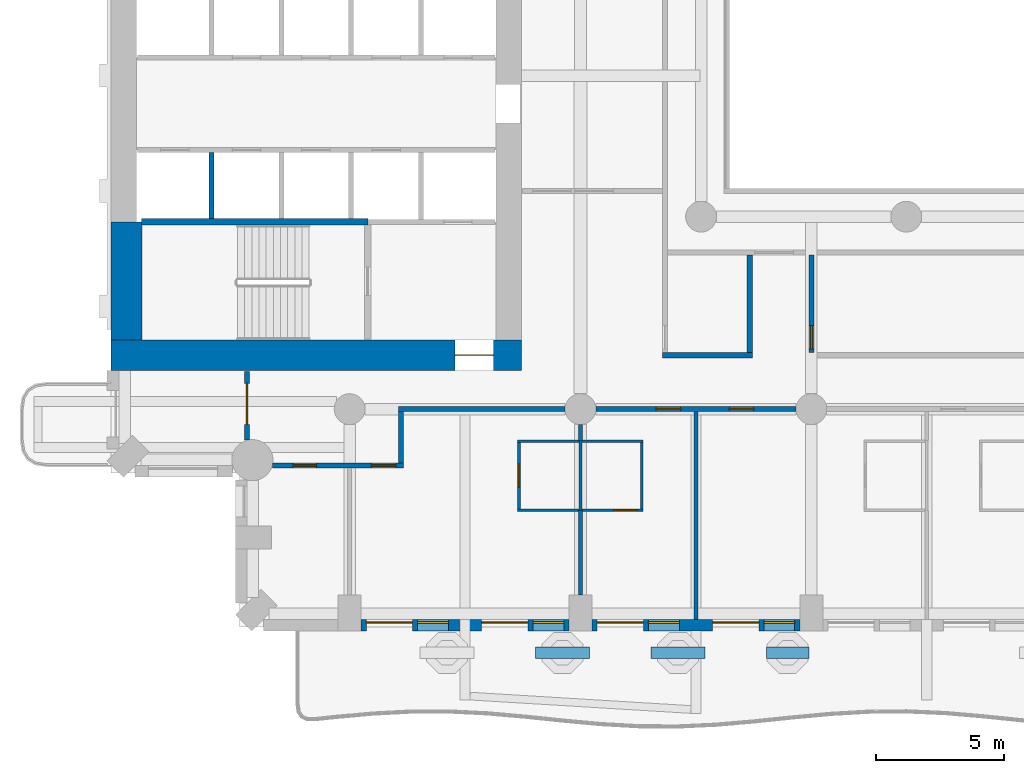
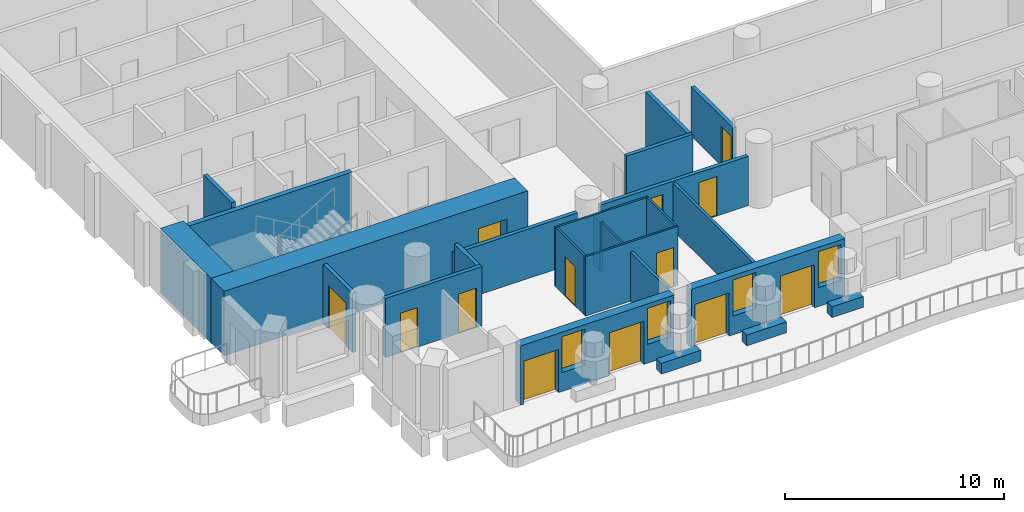
# One storey, part 3 of 20: 25 walls, 13 doors, 4 windows, 17 openings.
"""IFC4 building model written with IfcOpenShell, lengths in metres."""

import ifcopenshell
import ifcopenshell.guid

model = None  # the IFC model being written
_history = None  # IfcOwnerHistory: only IFC2X3 demands one
_inside = {}  # id of a spatial element -> (the spatial element, [elements in it])
_under = {}  # id of a project, library or spatial element -> (it, [spatial elements below it])
_declared = {}  # id of a project -> (the project, [libraries it declares])
_typed = {}  # id of a type object -> (the type object, [elements of that type])
_made_of = {}  # id of a material, layer set ... -> (it, [elements and type objects made of it])


def new_model(schema):
    """Start an empty IFC model of exactly this schema.

    Asked for "IFC4X3", IfcOpenShell would pick the latest addendum, in which some entities
    have other attributes; the version numbers below select the first issue.
    IFC2X3 requires an IfcOwnerHistory on every rooted entity: one is made here for all.
    """
    global model, _history
    if schema == "IFC4X3":
        model = ifcopenshell.file(schema_version=(4, 3, 0, 0))
    else:
        model = ifcopenshell.file(schema=schema)
    _inside.clear()
    _under.clear()
    _declared.clear()
    _typed.clear()
    _made_of.clear()
    _history = None
    if model.schema == "IFC2X3":
        org = make("IfcOrganization", Name="unknown")
        user = make(
            "IfcPersonAndOrganization",
            ThePerson=make("IfcPerson", FamilyName="unknown"),
            TheOrganization=org,
        )
        app = make(
            "IfcApplication",
            ApplicationDeveloper=org,
            Version="unknown",
            ApplicationFullName="unknown",
            ApplicationIdentifier="unknown",
        )
        _history = make(
            "IfcOwnerHistory",
            OwningUser=user,
            OwningApplication=app,
            ChangeAction="ADDED",
            CreationDate=0,
        )
    return model


def make(cls, **values):
    """One entity of the class cls with the attributes given. An attribute that is None is left unset."""
    return model.create_entity(
        cls, **{name: value for name, value in values.items() if value is not None}
    )


def rooted(cls, **values):
    """An entity with a GlobalId (a new one), such as an element, a storey or a relation."""
    return make(cls, GlobalId=ifcopenshell.guid.new(), OwnerHistory=_history, **values)


def si_unit(unit_type, name, prefix=None):
    """IfcSIUnit, for example si_unit("LENGTHUNIT", "METRE", prefix="MILLI")."""
    return make("IfcSIUnit", UnitType=unit_type, Prefix=prefix, Name=name)


def assignment(units):
    """IfcUnitAssignment: the units of a project."""
    return None if units is None else make("IfcUnitAssignment", Units=units)


def point(xyz):
    """IfcCartesianPoint."""
    return None if xyz is None else make("IfcCartesianPoint", Coordinates=xyz)


def direction(xyz):
    """IfcDirection."""
    return None if xyz is None else make("IfcDirection", DirectionRatios=xyz)


def frame(location, z_axis=None, x_axis=None):
    """IfcAxis2Placement3D, a coordinate frame: its origin and axes. An axis left out is left unset."""
    return make(
        "IfcAxis2Placement3D",
        Location=point(location),
        Axis=direction(z_axis),
        RefDirection=direction(x_axis),
    )


def frame_2d(location, x_axis=None):
    """IfcAxis2Placement2D, a coordinate frame in the plane: its origin and x axis."""
    return make(
        "IfcAxis2Placement2D", Location=point(location), RefDirection=direction(x_axis)
    )


def origin():
    """The frame at (0, 0, 0) with its axes left unset."""
    return frame((0.0, 0.0, 0.0))


def place(relative_to, where):
    """IfcLocalPlacement: puts the frame where relative to a parent placement (None: the world)."""
    return make(
        "IfcLocalPlacement", PlacementRelTo=relative_to, RelativePlacement=where
    )


def context(
    kind, dimensions, precision=None, world=None, true_north=None, identifier=None
):
    """IfcGeometricRepresentationContext, for example the 3D "Model" context."""
    return make(
        "IfcGeometricRepresentationContext",
        ContextIdentifier=identifier,
        ContextType=kind,
        CoordinateSpaceDimension=dimensions,
        Precision=precision,
        WorldCoordinateSystem=world,
        TrueNorth=true_north,
    )


def subcontext(parent, identifier, kind, view, scale=None):
    """IfcGeometricRepresentationSubContext, for example "Body" below "Model"."""
    return make(
        "IfcGeometricRepresentationSubContext",
        ContextIdentifier=identifier,
        ContextType=kind,
        ParentContext=parent,
        TargetScale=scale,
        TargetView=view,
    )


def project(units=None, contexts=None):
    """IfcProject with its units and contexts."""
    return rooted(
        "IfcProject",
        Name="project",
        RepresentationContexts=contexts,
        UnitsInContext=assignment(units),
    )


def spatial(cls, under=None, at=None, **own):
    """A site, building, storey or space (cls), placed at a placement, below another one or the project."""
    s = rooted(cls, ObjectPlacement=at, **own)
    if under is not None:
        _under.setdefault(under.id(), (under, []))[1].append(s)
    return s


def profile(cls, at=None, kind="AREA", **sizes):
    """A parametric profile (cls). Its sizes go by their IFC names, for example OverallWidth=200.0."""
    return make(cls, ProfileType=kind, Position=at, **sizes)


def rectangle(**sizes):
    """IfcRectangleProfileDef."""
    return profile("IfcRectangleProfileDef", **sizes)


def extrude(swept, where, along, depth):
    """IfcExtrudedAreaSolid: the profile swept, set in the frame where, extruded along a direction by depth."""
    return make(
        "IfcExtrudedAreaSolid",
        SweptArea=swept,
        Position=where,
        ExtrudedDirection=direction(along),
        Depth=depth,
    )


def shape(context_of_items, identifier, shape_type, items):
    """IfcShapeRepresentation: the items that make up one representation, for example the "Body"."""
    return make(
        "IfcShapeRepresentation",
        ContextOfItems=context_of_items,
        RepresentationIdentifier=identifier,
        RepresentationType=shape_type,
        Items=items,
    )


def material(Name=None, Category=None):
    """IfcMaterial."""
    return make("IfcMaterial", Name=Name, Category=Category)


def layer(
    of_material, thickness, ventilated=None, Name=None, Category=None, Priority=None
):
    """IfcMaterialLayer: one layer of a wall or slab, of a material (None: an air gap)."""
    return make(
        "IfcMaterialLayer",
        Material=of_material,
        LayerThickness=thickness,
        IsVentilated=ventilated,
        Name=Name,
        Category=Category,
        Priority=Priority,
    )


def layer_set(layers, Name=None):
    """IfcMaterialLayerSet."""
    return make("IfcMaterialLayerSet", MaterialLayers=layers, LayerSetName=Name)


def made_of(thing, what):
    """Note that an element or type object is made of a material, layer set ...; save() writes the relation."""
    if what is not None:
        _made_of.setdefault(what.id(), (what, []))[1].append(thing)
    return thing


def type_object(cls, material=None, **own):
    """A type object (cls), such as IfcWallType, which elements share."""
    return made_of(rooted(cls, **own), material)


def element(
    cls,
    number,
    at=None,
    inside=None,
    cuts=None,
    type_object=None,
    material=None,
    context=None,
    identifier="Body",
    shape_type=None,
    held_by="IfcProductDefinitionShape",
    body=None,
    shapes=None,
    **own,
):
    """One element of the class cls, such as IfcWall. Its Tag is "e" and its number.

    at: its placement. inside: the storey or other place that contains it. cuts: it is an
    opening in that element (IfcRelVoidsElement). A single representation is given by context,
    identifier, shape_type and body (its items); several are given by shapes. held_by: the class
    of the entity that holds the representations. save() writes the other relations.
    """
    e = rooted(cls, Tag="e%d" % number, ObjectPlacement=at, **own)
    if body is not None:
        shapes = [shape(context, identifier, shape_type, body)]
    if shapes is not None:
        e.Representation = make(held_by, Representations=shapes)
    if inside is not None:
        _inside.setdefault(inside.id(), (inside, []))[1].append(e)
    if cuts is not None:
        rooted(
            "IfcRelVoidsElement", RelatingBuildingElement=cuts, RelatedOpeningElement=e
        )
    if type_object is not None:
        _typed.setdefault(type_object.id(), (type_object, []))[1].append(e)
    return made_of(e, material)


def fill(opening, filler):
    """IfcRelFillsElement: the door or window that sits in an opening."""
    return rooted(
        "IfcRelFillsElement",
        RelatingOpeningElement=opening,
        RelatedBuildingElement=filler,
    )


def aggregate(whole, parts):
    """IfcRelAggregates: a whole, such as a stair, and the parts it consists of."""
    return rooted("IfcRelAggregates", RelatingObject=whole, RelatedObjects=parts)


def save(model, path):
    """Write the relations noted so far, then the file.

    IfcRelAggregates (storeys below a building ...), IfcRelContainedInSpatialStructure (elements
    in a storey), IfcRelDefinesByType, IfcRelAssociatesMaterial and IfcRelDeclares: one each for
    every whole, place, type object, material and project.
    """
    for whole, parts in _under.values():
        aggregate(whole, parts)
    for where, things in _inside.values():
        rooted(
            "IfcRelContainedInSpatialStructure",
            RelatedElements=things,
            RelatingStructure=where,
        )
    for kind, things in _typed.values():
        rooted("IfcRelDefinesByType", RelatedObjects=things, RelatingType=kind)
    for what, things in _made_of.values():
        rooted("IfcRelAssociatesMaterial", RelatedObjects=things, RelatingMaterial=what)
    for by, libraries in _declared.values():
        rooted("IfcRelDeclares", RelatingContext=by, RelatedDefinitions=libraries)
    model.write(path)


model = new_model("IFC4")

# Units and contexts
model_context = context("Model", 3, precision=1e-05, world=origin(), true_north=direction((0.0, 1.0)))
body_context = subcontext(model_context, "Body", "Model", "MODEL_VIEW")
ifc_project = project(units=[si_unit("LENGTHUNIT", "METRE"), si_unit("AREAUNIT", "SQUARE_METRE"), si_unit("VOLUMEUNIT", "CUBIC_METRE"), si_unit("PLANEANGLEUNIT", "RADIAN"), si_unit("MASSUNIT", "GRAM", prefix="KILO")], contexts=[model_context])

# Site, building, storey
site_placement = place(None, origin())
site = spatial("IfcSite", under=ifc_project, at=site_placement, CompositionType="ELEMENT")
building_placement = place(site_placement, origin())
building = spatial("IfcBuilding", under=site, at=building_placement, Name="Cypress Arch Tower", CompositionType="ELEMENT")
storey_placement = place(building_placement, frame((0.0, 0.0, 59.10009765625)))
storey = spatial("IfcBuildingStorey", under=building, at=storey_placement, Name="L08", CompositionType="ELEMENT", Elevation=59.10009765625)

# Walls
ifc_material_1 = material(Name="Concrete C40/50, waterproofed", Category="concrete")
ifc_layer_1 = layer(ifc_material_1, 0.449951171875)
ifc_layer_set_1 = layer_set([ifc_layer_1], Name="Balcony planter wall PW450")
wall_type_1 = type_object("IfcWallType", Name="Balcony planter wall PW450", PredefinedType="SOLIDWALL", material=ifc_layer_set_1)
for number, where, z_axis, x_axis, name in (
    (1, (-13.449951171875, -27.0, 0.0), (0.0, 0.0, 1.0), (1.0, 0.0, 0.0), "Balcony planter wall L08-A03.2"),
    (2, (-8.949951171875, -27.0, 0.0), (0.0, 0.0, 1.0), (1.0, 0.0, 0.0), "Balcony planter wall L08-A03.3"),
):
    element("IfcWall", number, at=place(storey_placement, frame(where, z_axis=z_axis, x_axis=x_axis)), inside=storey, type_object=wall_type_1, Name=name, PredefinedType="SOLIDWALL", context=body_context, shape_type="SweptSolid", body=[
        extrude(rectangle(XDim=2.099853515625, YDim=0.449951171875, at=frame_2d((1.0498046875, 0.0))), origin(), (0.0, 0.0, 1.0), 0.599853515625),
    ])
wall_1_placement = place(storey_placement, frame((-4.449951171875, -27.0, 0.0), z_axis=(0.0, 0.0, 1.0), x_axis=(1.0, 0.0, 0.0)))
element("IfcWall", 3, at=wall_1_placement, inside=storey, type_object=wall_type_1, Name="Balcony planter wall L08-A03.4", PredefinedType="SOLIDWALL", context=body_context, shape_type="SweptSolid", body=[
    extrude(rectangle(XDim=1.64990234375, YDim=0.449951171875, at=frame_2d((0.824951171875, 0.0))), origin(), (0.0, 0.0, 1.0), 0.599853515625),
])

# Wall, openings, doors, windows
ifc_material_2 = material(Name="Brick (red buff blend)", Category="masonry")
ifc_layer_2 = layer(ifc_material_2, 0.449951171875)
ifc_layer_set_2 = layer_set([ifc_layer_2], Name="Brick pier and spandrel wall BW450")
wall_type_2 = type_object("IfcWallType", Name="Brick pier and spandrel wall BW450", PredefinedType="SOLIDWALL", material=ifc_layer_set_2)
wall_2_placement = place(storey_placement, frame((-20.25, -25.925048828125, 0.0), z_axis=(0.0, 0.0, 1.0), x_axis=(1.0, 0.0, 0.0)))
wall_2 = element("IfcWall", 4, at=wall_2_placement, inside=storey, type_object=wall_type_2, Name="Brick wall L08 A03.1", PredefinedType="SOLIDWALL", context=body_context, shape_type="SweptSolid", body=[
    extrude(rectangle(XDim=8.10009765625, YDim=0.449951171875, at=frame_2d((4.050048828125, 0.0))), origin(), (0.0, 0.0, 1.0), 3.2998046875),
])
opening_1_placement = place(wall_2_placement, frame((0.199951171875, 0.0, 0.0)))
opening_1 = element("IfcOpeningElement", 5, at=opening_1_placement, cuts=wall_2, Name="Opening D-L08-A03.1.1", PredefinedType="OPENING", context=body_context, shape_type="SweptSolid", body=[
    extrude(rectangle(XDim=1.800048828125, YDim=2.39990234375, at=frame_2d((0.89990234375, 1.199951171875))), frame((0.0, 0.23486328125, 0.0), z_axis=(0.0, -1.0, 0.0), x_axis=(1.0, 0.0, 0.0)), (0.0, 0.0, 1.0), 0.469970703125),
])
opening_2_placement = place(wall_2_placement, frame((2.199951171875, 0.0, 1.050048828125)))
opening_2 = element("IfcOpeningElement", 6, at=opening_2_placement, cuts=wall_2, Name="Opening W120HD", PredefinedType="OPENING", context=body_context, shape_type="SweptSolid", body=[
    extrude(rectangle(XDim=1.199951171875, YDim=2.0, at=frame_2d((0.60009765625, 1.0))), frame((0.0, 0.23486328125, 0.0), z_axis=(0.0, -1.0, 0.0), x_axis=(1.0, 0.0, 0.0)), (0.0, 0.0, 1.0), 0.469970703125),
])
opening_3_placement = place(wall_2_placement, frame((4.699951171875, 0.0, 0.0)))
opening_3 = element("IfcOpeningElement", 7, at=opening_3_placement, cuts=wall_2, Name="Opening D-L08-A03.1.2", PredefinedType="OPENING", context=body_context, shape_type="SweptSolid", body=[
    extrude(rectangle(XDim=1.800048828125, YDim=2.39990234375, at=frame_2d((0.89990234375, 1.199951171875))), frame((0.0, 0.23486328125, 0.0), z_axis=(0.0, -1.0, 0.0), x_axis=(1.0, 0.0, 0.0)), (0.0, 0.0, 1.0), 0.469970703125),
])
opening_4_placement = place(wall_2_placement, frame((6.699951171875, 0.0, 1.050048828125)))
opening_4 = element("IfcOpeningElement", 8, at=opening_4_placement, cuts=wall_2, Name="Opening W120HD", PredefinedType="OPENING", context=body_context, shape_type="SweptSolid", body=[
    extrude(rectangle(XDim=1.199951171875, YDim=2.0, at=frame_2d((0.60009765625, 1.0))), frame((0.0, 0.23486328125, 0.0), z_axis=(0.0, -1.0, 0.0), x_axis=(1.0, 0.0, 0.0)), (0.0, 0.0, 1.0), 0.469970703125),
])
ifc_material_3 = material(Name="Anodised aluminium, bronze finish, laminated low-emissivity double glazing, large-missile impact rated", Category="aluminium")
door_type_1 = type_object("IfcDoorType", Name="Balcony sliding door 1800x2400", OperationType="SLIDING_TO_LEFT", PredefinedType="DOOR", material=ifc_material_3)
door_1_placement = place(opening_1_placement, origin())
door_1 = element("IfcDoor", 9, at=door_1_placement, inside=storey, type_object=door_type_1, Name="Balcony door L08 A03.1.1", OperationType="SLIDING_TO_LEFT", OverallHeight=2.39990234375, OverallWidth=1.800048828125, PredefinedType="DOOR", context=body_context, shape_type="SweptSolid", body=[
    extrude(rectangle(XDim=1.800048828125, YDim=2.39990234375, at=frame_2d((0.89990234375, 1.199951171875))), frame((0.0, 0.1298828125, 0.0), z_axis=(0.0, -1.0, 0.0), x_axis=(1.0, 0.0, 0.0)), (0.0, 0.0, 1.0), 0.050048828125),
])
fill(opening_1, door_1)
door_2_placement = place(opening_3_placement, origin())
door_2 = element("IfcDoor", 10, at=door_2_placement, inside=storey, type_object=door_type_1, Name="Balcony door L08 A03.1.2", OperationType="SLIDING_TO_LEFT", OverallHeight=2.39990234375, OverallWidth=1.800048828125, PredefinedType="DOOR", context=body_context, shape_type="SweptSolid", body=[
    extrude(rectangle(XDim=1.800048828125, YDim=2.39990234375, at=frame_2d((0.89990234375, 1.199951171875))), frame((0.0, 0.1298828125, 0.0), z_axis=(0.0, -1.0, 0.0), x_axis=(1.0, 0.0, 0.0)), (0.0, 0.0, 1.0), 0.050048828125),
])
fill(opening_3, door_2)
ifc_material_4 = material(Name="Anodised aluminium, bronze finish, laminated low-emissivity double glazing, large-missile impact rated", Category="aluminium")
window_type = type_object("IfcWindowType", Name="Window Hotel 1200x2000 debris-rated", PartitioningType="SINGLE_PANEL", PredefinedType="WINDOW", material=ifc_material_4)
window_1_placement = place(opening_2_placement, origin())
window_1 = element("IfcWindow", 11, at=window_1_placement, inside=storey, type_object=window_type, Name="Window L08 A03.1.1", OverallHeight=2.0, OverallWidth=1.199951171875, PartitioningType="SINGLE_PANEL", PredefinedType="WINDOW", context=body_context, shape_type="SweptSolid", body=[
    extrude(rectangle(XDim=1.199951171875, YDim=2.0, at=frame_2d((0.60009765625, 1.0))), frame((0.0, 0.135009765625, 0.0), z_axis=(0.0, -1.0, 0.0), x_axis=(1.0, 0.0, 0.0)), (0.0, 0.0, 1.0), 0.06005859375),
])
fill(opening_2, window_1)
window_2_placement = place(opening_4_placement, origin())
window_2 = element("IfcWindow", 12, at=window_2_placement, inside=storey, type_object=window_type, Name="Window L08 A03.1.2", OverallHeight=2.0, OverallWidth=1.199951171875, PartitioningType="SINGLE_PANEL", PredefinedType="WINDOW", context=body_context, shape_type="SweptSolid", body=[
    extrude(rectangle(XDim=1.199951171875, YDim=2.0, at=frame_2d((0.60009765625, 1.0))), frame((0.0, 0.135009765625, 0.0), z_axis=(0.0, -1.0, 0.0), x_axis=(1.0, 0.0, 0.0)), (0.0, 0.0, 1.0), 0.06005859375),
])
fill(opening_4, window_2)

wall_3_placement = place(storey_placement, frame((-11.25, -25.925048828125, 0.0), z_axis=(0.0, 0.0, 1.0), x_axis=(1.0, 0.0, 0.0)))
wall_3 = element("IfcWall", 13, at=wall_3_placement, inside=storey, type_object=wall_type_2, Name="Brick wall L08 A03.2", PredefinedType="SOLIDWALL", context=body_context, shape_type="SweptSolid", body=[
    extrude(rectangle(XDim=8.10009765625, YDim=0.449951171875, at=frame_2d((4.050048828125, 0.0))), origin(), (0.0, 0.0, 1.0), 3.2998046875),
])
opening_5_placement = place(wall_3_placement, frame((0.199951171875, 0.0, 0.0)))
opening_5 = element("IfcOpeningElement", 14, at=opening_5_placement, cuts=wall_3, Name="Opening D-L08-A03.2.1", PredefinedType="OPENING", context=body_context, shape_type="SweptSolid", body=[
    extrude(rectangle(XDim=1.800048828125, YDim=2.39990234375, at=frame_2d((0.89990234375, 1.199951171875))), frame((0.0, 0.23486328125, 0.0), z_axis=(0.0, -1.0, 0.0), x_axis=(1.0, 0.0, 0.0)), (0.0, 0.0, 1.0), 0.469970703125),
])
opening_6_placement = place(wall_3_placement, frame((2.199951171875, 0.0, 1.050048828125)))
opening_6 = element("IfcOpeningElement", 15, at=opening_6_placement, cuts=wall_3, Name="Opening W120HD", PredefinedType="OPENING", context=body_context, shape_type="SweptSolid", body=[
    extrude(rectangle(XDim=1.199951171875, YDim=2.0, at=frame_2d((0.60009765625, 1.0))), frame((0.0, 0.23486328125, 0.0), z_axis=(0.0, -1.0, 0.0), x_axis=(1.0, 0.0, 0.0)), (0.0, 0.0, 1.0), 0.469970703125),
])
opening_7_placement = place(wall_3_placement, frame((4.699951171875, 0.0, 0.0)))
opening_7 = element("IfcOpeningElement", 16, at=opening_7_placement, cuts=wall_3, Name="Opening D-L08-A03.2.2", PredefinedType="OPENING", context=body_context, shape_type="SweptSolid", body=[
    extrude(rectangle(XDim=1.800048828125, YDim=2.39990234375, at=frame_2d((0.89990234375, 1.199951171875))), frame((0.0, 0.23486328125, 0.0), z_axis=(0.0, -1.0, 0.0), x_axis=(1.0, 0.0, 0.0)), (0.0, 0.0, 1.0), 0.469970703125),
])
opening_8_placement = place(wall_3_placement, frame((6.699951171875, 0.0, 1.050048828125)))
opening_8 = element("IfcOpeningElement", 17, at=opening_8_placement, cuts=wall_3, Name="Opening W120HD", PredefinedType="OPENING", context=body_context, shape_type="SweptSolid", body=[
    extrude(rectangle(XDim=1.199951171875, YDim=2.0, at=frame_2d((0.60009765625, 1.0))), frame((0.0, 0.23486328125, 0.0), z_axis=(0.0, -1.0, 0.0), x_axis=(1.0, 0.0, 0.0)), (0.0, 0.0, 1.0), 0.469970703125),
])
door_3_placement = place(opening_5_placement, origin())
door_3 = element("IfcDoor", 18, at=door_3_placement, inside=storey, type_object=door_type_1, Name="Balcony door L08 A03.2.1", OperationType="SLIDING_TO_LEFT", OverallHeight=2.39990234375, OverallWidth=1.800048828125, PredefinedType="DOOR", context=body_context, shape_type="SweptSolid", body=[
    extrude(rectangle(XDim=1.800048828125, YDim=2.39990234375, at=frame_2d((0.89990234375, 1.199951171875))), frame((0.0, 0.1298828125, 0.0), z_axis=(0.0, -1.0, 0.0), x_axis=(1.0, 0.0, 0.0)), (0.0, 0.0, 1.0), 0.050048828125),
])
fill(opening_5, door_3)
door_4_placement = place(opening_7_placement, origin())
door_4 = element("IfcDoor", 19, at=door_4_placement, inside=storey, type_object=door_type_1, Name="Balcony door L08 A03.2.2", OperationType="SLIDING_TO_LEFT", OverallHeight=2.39990234375, OverallWidth=1.800048828125, PredefinedType="DOOR", context=body_context, shape_type="SweptSolid", body=[
    extrude(rectangle(XDim=1.800048828125, YDim=2.39990234375, at=frame_2d((0.89990234375, 1.199951171875))), frame((0.0, 0.1298828125, 0.0), z_axis=(0.0, -1.0, 0.0), x_axis=(1.0, 0.0, 0.0)), (0.0, 0.0, 1.0), 0.050048828125),
])
fill(opening_7, door_4)
window_3_placement = place(opening_6_placement, origin())
window_3 = element("IfcWindow", 20, at=window_3_placement, inside=storey, type_object=window_type, Name="Window L08 A03.2.1", OverallHeight=2.0, OverallWidth=1.199951171875, PartitioningType="SINGLE_PANEL", PredefinedType="WINDOW", context=body_context, shape_type="SweptSolid", body=[
    extrude(rectangle(XDim=1.199951171875, YDim=2.0, at=frame_2d((0.60009765625, 1.0))), frame((0.0, 0.135009765625, 0.0), z_axis=(0.0, -1.0, 0.0), x_axis=(1.0, 0.0, 0.0)), (0.0, 0.0, 1.0), 0.06005859375),
])
fill(opening_6, window_3)
window_4_placement = place(opening_8_placement, origin())
window_4 = element("IfcWindow", 21, at=window_4_placement, inside=storey, type_object=window_type, Name="Window L08 A03.2.2", OverallHeight=2.0, OverallWidth=1.199951171875, PartitioningType="SINGLE_PANEL", PredefinedType="WINDOW", context=body_context, shape_type="SweptSolid", body=[
    extrude(rectangle(XDim=1.199951171875, YDim=2.0, at=frame_2d((0.60009765625, 1.0))), frame((0.0, 0.135009765625, 0.0), z_axis=(0.0, -1.0, 0.0), x_axis=(1.0, 0.0, 0.0)), (0.0, 0.0, 1.0), 0.06005859375),
])
fill(opening_8, window_4)

# Wall, opening, door
ifc_material_5 = material(Name="Concrete C80/95", Category="concrete")
ifc_layer_3 = layer(ifc_material_5, 1.199951171875)
ifc_layer_set_3 = layer_set([ifc_layer_3], Name="Core wall CW1200 C80/95")
wall_type_3 = type_object("IfcWallType", Name="Core wall CW1200 C80/95", PredefinedType="SHEAR", material=ifc_layer_set_3)
wall_4_placement = place(storey_placement, frame((-30.0, -15.39990234375, 0.0), z_axis=(0.0, 0.0, 1.0), x_axis=(1.0, 0.0, 0.0)))
wall_4 = element("IfcWall", 22, at=wall_4_placement, inside=storey, type_object=wall_type_3, Name="Core wall", PredefinedType="SHEAR", context=body_context, shape_type="SweptSolid", body=[
    extrude(rectangle(XDim=16.0, YDim=1.199951171875, at=frame_2d((8.0, 0.0))), origin(), (0.0, 0.0, 1.0), 3.599853515625),
])
opening_9_placement = place(wall_4_placement, frame((13.39990234375, 0.0, 0.0)))
opening_9 = element("IfcOpeningElement", 23, at=opening_9_placement, cuts=wall_4, Name="Opening D07", PredefinedType="OPENING", context=body_context, shape_type="SweptSolid", body=[
    extrude(rectangle(XDim=1.5, YDim=2.39990234375, at=frame_2d((0.75, 1.199951171875))), frame((0.0, 0.60986328125, 0.0), z_axis=(0.0, -1.0, 0.0), x_axis=(1.0, 0.0, 0.0)), (0.0, 0.0, 1.0), 1.219970703125),
])
ifc_material_6 = material(Name="Steel framed glazed door, fire resisting", Category="steel")
door_type_2 = type_object("IfcDoorType", Name="Lobby door D07 1500x2400", OperationType="DOUBLE_DOOR_SINGLE_SWING", PredefinedType="DOOR", material=ifc_material_6)
door_5_placement = place(opening_9_placement, origin())
door_5 = element("IfcDoor", 24, at=door_5_placement, inside=storey, type_object=door_type_2, Name="Lobby door", OperationType="DOUBLE_DOOR_SINGLE_SWING", OverallHeight=2.39990234375, OverallWidth=1.5, PredefinedType="DOOR", context=body_context, shape_type="SweptSolid", body=[
    extrude(rectangle(XDim=1.5, YDim=2.39990234375, at=frame_2d((0.75, 1.199951171875))), frame((0.0, 0.02490234375, 0.0), z_axis=(0.0, -1.0, 0.0), x_axis=(1.0, 0.0, 0.0)), (0.0, 0.0, 1.0), 0.050048828125),
])
fill(opening_9, door_5)

# Wall
wall_5_placement = place(storey_placement, frame((-29.39990234375, -14.800048828125, 0.0), z_axis=(0.0, 0.0, 1.0), x_axis=(0.0, 1.0, 0.0)))
element("IfcWall", 25, at=wall_5_placement, inside=storey, type_object=wall_type_3, Name="Core wall", PredefinedType="SHEAR", context=body_context, shape_type="SweptSolid", body=[
    extrude(rectangle(XDim=4.60009765625, YDim=1.199951171875, at=frame_2d((2.300048828125, 0.0))), origin(), (0.0, 0.0, 1.0), 3.599853515625),
])

# Wall, opening, door
ifc_material_7 = material(Name="Concrete blockwork, plastered, rated", Category="masonry")
ifc_layer_4 = layer(ifc_material_7, 0.199951171875)
ifc_layer_set_4 = layer_set([ifc_layer_4], Name="Corridor wall FW200")
wall_type_4 = type_object("IfcWallType", Name="Corridor wall FW200", PredefinedType="PARTITIONING", material=ifc_layer_set_4)
wall_6_placement = place(storey_placement, frame((-24.699951171875, -18.7001953125, 0.0), z_axis=(0.0, 0.0, 1.0), x_axis=(0.0, 1.0, 0.0)))
wall_6 = element("IfcWall", 26, at=wall_6_placement, inside=storey, type_object=wall_type_4, Name="Corridor wall", PredefinedType="PARTITIONING", context=body_context, shape_type="SweptSolid", body=[
    extrude(rectangle(XDim=2.670166015625, YDim=0.199951171875, at=frame_2d((1.3349609375, 0.0))), origin(), (0.0, 0.0, 1.0), 3.2998046875),
])
opening_10_placement = place(wall_6_placement, frame((0.60009765625, 0.0, 0.0)))
opening_10 = element("IfcOpeningElement", 27, at=opening_10_placement, cuts=wall_6, Name="Opening D10", PredefinedType="OPENING", context=body_context, shape_type="SweptSolid", body=[
    extrude(rectangle(XDim=1.60009765625, YDim=2.39990234375, at=frame_2d((0.800048828125, 1.199951171875))), frame((0.0, 0.10986328125, 0.0), z_axis=(0.0, -1.0, 0.0), x_axis=(1.0, 0.0, 0.0)), (0.0, 0.0, 1.0), 0.219970703125),
])
ifc_material_8 = material(Name="Black aluminium glazed door", Category="aluminium")
door_type_3 = type_object("IfcDoorType", Name="Amenity door D10 1600x2400", OperationType="DOUBLE_DOOR_SINGLE_SWING", PredefinedType="DOOR", material=ifc_material_8)
door_6_placement = place(opening_10_placement, origin())
door_6 = element("IfcDoor", 28, at=door_6_placement, inside=storey, type_object=door_type_3, Name="Amenity door", OperationType="DOUBLE_DOOR_SINGLE_SWING", OverallHeight=2.39990234375, OverallWidth=1.60009765625, PredefinedType="DOOR", context=body_context, shape_type="SweptSolid", body=[
    extrude(rectangle(XDim=1.60009765625, YDim=2.39990234375, at=frame_2d((0.800048828125, 1.199951171875))), frame((0.0, 0.02490234375, 0.0), z_axis=(0.0, -1.0, 0.0), x_axis=(1.0, 0.0, 0.0)), (0.0, 0.0, 1.0), 0.050048828125),
])
fill(opening_10, door_6)

# Wall, openings, doors
wall_7_placement = place(storey_placement, frame((-23.7001953125, -19.699951171875, 0.0), z_axis=(0.0, 0.0, 1.0), x_axis=(1.0, 0.0, 0.0)))
wall_7 = element("IfcWall", 29, at=wall_7_placement, inside=storey, type_object=wall_type_4, Name="Corridor wall", PredefinedType="PARTITIONING", context=body_context, shape_type="SweptSolid", body=[
    extrude(rectangle(XDim=5.10009765625, YDim=0.199951171875, at=frame_2d((2.550048828125, 0.0))), origin(), (0.0, 0.0, 1.0), 3.2998046875),
])
opening_11_placement = place(wall_7_placement, frame((0.800048828125, 0.0, 0.0)))
opening_11 = element("IfcOpeningElement", 30, at=opening_11_placement, cuts=wall_7, Name="Opening D05", PredefinedType="OPENING", context=body_context, shape_type="SweptSolid", body=[
    extrude(rectangle(XDim=0.89990234375, YDim=2.199951171875, at=frame_2d((0.449951171875, 1.10009765625))), frame((0.0, 0.10986328125, 0.0), z_axis=(0.0, -1.0, 0.0), x_axis=(1.0, 0.0, 0.0)), (0.0, 0.0, 1.0), 0.219970703125),
])
opening_12_placement = place(wall_7_placement, frame((3.85009765625, 0.0, 0.0)))
opening_12 = element("IfcOpeningElement", 31, at=opening_12_placement, cuts=wall_7, Name="Opening D02", PredefinedType="OPENING", context=body_context, shape_type="SweptSolid", body=[
    extrude(rectangle(XDim=0.949951171875, YDim=2.199951171875, at=frame_2d((0.47509765625, 1.10009765625))), frame((0.0, 0.10986328125, 0.0), z_axis=(0.0, -1.0, 0.0), x_axis=(1.0, 0.0, 0.0)), (0.0, 0.0, 1.0), 0.219970703125),
])
ifc_material_9 = material(Name="Timber flush door, fire resisting", Category="wood")
door_type_4 = type_object("IfcDoorType", Name="Room door D02 950x2200", OperationType="SINGLE_SWING_LEFT", PredefinedType="DOOR", material=ifc_material_9)
door_7_placement = place(opening_12_placement, origin())
door_7 = element("IfcDoor", 32, at=door_7_placement, inside=storey, type_object=door_type_4, Name="Room door", OperationType="SINGLE_SWING_RIGHT", OverallHeight=2.199951171875, OverallWidth=0.949951171875, PredefinedType="DOOR", context=body_context, shape_type="SweptSolid", body=[
    extrude(rectangle(XDim=0.949951171875, YDim=2.199951171875, at=frame_2d((0.47509765625, 1.10009765625))), frame((0.0, 0.02490234375, 0.0), z_axis=(0.0, -1.0, 0.0), x_axis=(1.0, 0.0, 0.0)), (0.0, 0.0, 1.0), 0.050048828125),
])
fill(opening_12, door_7)
ifc_material_10 = material(Name="Timber flush door", Category="wood")
door_type_5 = type_object("IfcDoorType", Name="Service door D05 900x2200", OperationType="SINGLE_SWING_LEFT", PredefinedType="DOOR", material=ifc_material_10)
door_8_placement = place(opening_11_placement, origin())
door_8 = element("IfcDoor", 33, at=door_8_placement, inside=storey, type_object=door_type_5, Name="Service door", OperationType="SINGLE_SWING_RIGHT", OverallHeight=2.199951171875, OverallWidth=0.89990234375, PredefinedType="DOOR", context=body_context, shape_type="SweptSolid", body=[
    extrude(rectangle(XDim=0.89990234375, YDim=2.199951171875, at=frame_2d((0.449951171875, 1.10009765625))), frame((0.0, 0.02490234375, 0.0), z_axis=(0.0, -1.0, 0.0), x_axis=(1.0, 0.0, 0.0)), (0.0, 0.0, 1.0), 0.050048828125),
])
fill(opening_11, door_8)

# Walls
wall_8_placement = place(storey_placement, frame((-18.699951171875, -19.60009765625, 0.0), z_axis=(0.0, 0.0, 1.0), x_axis=(0.0, 1.0, 0.0)))
element("IfcWall", 34, at=wall_8_placement, inside=storey, type_object=wall_type_4, Name="Corridor wall", PredefinedType="PARTITIONING", context=body_context, shape_type="SweptSolid", body=[
    extrude(rectangle(XDim=2.0, YDim=0.199951171875, at=frame_2d((1.0, 0.0))), origin(), (0.0, 0.0, 1.0), 3.2998046875),
])
wall_9_placement = place(storey_placement, frame((-18.800048828125, -17.5, 0.0), z_axis=(0.0, 0.0, 1.0), x_axis=(1.0, 0.0, 0.0)))
element("IfcWall", 35, at=wall_9_placement, inside=storey, type_object=wall_type_4, Name="Corridor wall", PredefinedType="PARTITIONING", context=body_context, shape_type="SweptSolid", body=[
    extrude(rectangle(XDim=6.5, YDim=0.199951171875, at=frame_2d((3.25, 0.0))), origin(), (0.0, 0.0, 1.0), 2.75),
])

# Wall, openings, doors
wall_10_placement = place(storey_placement, frame((-11.10009765625, -17.5, 0.0), z_axis=(0.0, 0.0, 1.0), x_axis=(1.0, 0.0, 0.0)))
wall_10 = element("IfcWall", 36, at=wall_10_placement, inside=storey, type_object=wall_type_4, Name="Corridor wall", PredefinedType="PARTITIONING", context=body_context, shape_type="SweptSolid", body=[
    extrude(rectangle(XDim=7.800048828125, YDim=0.199951171875, at=frame_2d((3.89990234375, 0.0))), origin(), (0.0, 0.0, 1.0), 2.75),
])
opening_13_placement = place(wall_10_placement, frame((2.35009765625, 0.0, 0.0)))
opening_13 = element("IfcOpeningElement", 37, at=opening_13_placement, cuts=wall_10, Name="Opening D02", PredefinedType="OPENING", context=body_context, shape_type="SweptSolid", body=[
    extrude(rectangle(XDim=0.949951171875, YDim=2.199951171875, at=frame_2d((0.47509765625, 1.10009765625))), frame((0.0, 0.10986328125, 0.0), z_axis=(0.0, -1.0, 0.0), x_axis=(1.0, 0.0, 0.0)), (0.0, 0.0, 1.0), 0.219970703125),
])
opening_14_placement = place(wall_10_placement, frame((5.199951171875, 0.0, 0.0)))
opening_14 = element("IfcOpeningElement", 38, at=opening_14_placement, cuts=wall_10, Name="Opening D02", PredefinedType="OPENING", context=body_context, shape_type="SweptSolid", body=[
    extrude(rectangle(XDim=0.949951171875, YDim=2.199951171875, at=frame_2d((0.47509765625, 1.10009765625))), frame((0.0, 0.10986328125, 0.0), z_axis=(0.0, -1.0, 0.0), x_axis=(1.0, 0.0, 0.0)), (0.0, 0.0, 1.0), 0.219970703125),
])
door_9_placement = place(opening_13_placement, origin())
door_9 = element("IfcDoor", 39, at=door_9_placement, inside=storey, type_object=door_type_4, Name="Room door", OperationType="SINGLE_SWING_LEFT", OverallHeight=2.199951171875, OverallWidth=0.949951171875, PredefinedType="DOOR", context=body_context, shape_type="SweptSolid", body=[
    extrude(rectangle(XDim=0.949951171875, YDim=2.199951171875, at=frame_2d((0.47509765625, 1.10009765625))), frame((0.0, 0.02490234375, 0.0), z_axis=(0.0, -1.0, 0.0), x_axis=(1.0, 0.0, 0.0)), (0.0, 0.0, 1.0), 0.050048828125),
])
fill(opening_13, door_9)
door_10_placement = place(opening_14_placement, origin())
door_10 = element("IfcDoor", 40, at=door_10_placement, inside=storey, type_object=door_type_4, Name="Room door", OperationType="SINGLE_SWING_RIGHT", OverallHeight=2.199951171875, OverallWidth=0.949951171875, PredefinedType="DOOR", context=body_context, shape_type="SweptSolid", body=[
    extrude(rectangle(XDim=0.949951171875, YDim=2.199951171875, at=frame_2d((0.47509765625, 1.10009765625))), frame((0.0, 0.02490234375, 0.0), z_axis=(0.0, -1.0, 0.0), x_axis=(1.0, 0.0, 0.0)), (0.0, 0.0, 1.0), 0.050048828125),
])
fill(opening_14, door_10)

# Walls
wall_11_placement = place(storey_placement, frame((-8.5, -15.39990234375, 0.0), z_axis=(0.0, 0.0, 1.0), x_axis=(1.0, 0.0, 0.0)))
element("IfcWall", 41, at=wall_11_placement, inside=storey, type_object=wall_type_4, Name="Corridor wall", PredefinedType="PARTITIONING", context=body_context, shape_type="SweptSolid", body=[
    extrude(rectangle(XDim=3.5, YDim=0.199951171875, at=frame_2d((1.75, 0.0))), origin(), (0.0, 0.0, 1.0), 3.2998046875),
])
wall_12_placement = place(storey_placement, frame((-5.10009765625, -15.300048828125, 0.0), z_axis=(0.0, 0.0, 1.0), x_axis=(0.0, 1.0, 0.0)))
element("IfcWall", 42, at=wall_12_placement, inside=storey, type_object=wall_type_4, Name="Corridor wall", PredefinedType="PARTITIONING", context=body_context, shape_type="SweptSolid", body=[
    extrude(rectangle(XDim=3.800048828125, YDim=0.199951171875, at=frame_2d((1.89990234375, 0.0))), origin(), (0.0, 0.0, 1.0), 3.2998046875),
])

# Wall, opening, door
wall_13_placement = place(storey_placement, frame((-2.699951171875, -15.300048828125, 0.0), z_axis=(0.0, 0.0, 1.0), x_axis=(0.0, 1.0, 0.0)))
wall_13 = element("IfcWall", 43, at=wall_13_placement, inside=storey, type_object=wall_type_4, Name="Corridor wall", PredefinedType="PARTITIONING", context=body_context, shape_type="SweptSolid", body=[
    extrude(rectangle(XDim=3.800048828125, YDim=0.199951171875, at=frame_2d((1.89990234375, 0.0))), origin(), (0.0, 0.0, 1.0), 2.75),
])
opening_15_placement = place(wall_13_placement, frame((0.14990234375, 0.0, 0.0)))
opening_15 = element("IfcOpeningElement", 44, at=opening_15_placement, cuts=wall_13, Name="Opening D05", PredefinedType="OPENING", context=body_context, shape_type="SweptSolid", body=[
    extrude(rectangle(XDim=0.89990234375, YDim=2.199951171875, at=frame_2d((0.449951171875, 1.10009765625))), frame((0.0, 0.10986328125, 0.0), z_axis=(0.0, -1.0, 0.0), x_axis=(1.0, 0.0, 0.0)), (0.0, 0.0, 1.0), 0.219970703125),
])
door_11_placement = place(opening_15_placement, origin())
door_11 = element("IfcDoor", 45, at=door_11_placement, inside=storey, type_object=door_type_5, Name="Service door", OperationType="SINGLE_SWING_RIGHT", OverallHeight=2.199951171875, OverallWidth=0.89990234375, PredefinedType="DOOR", context=body_context, shape_type="SweptSolid", body=[
    extrude(rectangle(XDim=0.89990234375, YDim=2.199951171875, at=frame_2d((0.449951171875, 1.10009765625))), frame((0.0, 0.02490234375, 0.0), z_axis=(0.0, -1.0, 0.0), x_axis=(1.0, 0.0, 0.0)), (0.0, 0.0, 1.0), 0.050048828125),
])
fill(opening_15, door_11)

# Walls
ifc_material_11 = material(Name="Blockwork, plastered both sides", Category="masonry")
ifc_layer_5 = layer(ifc_material_11, 0.14990234375)
ifc_layer_set_5 = layer_set([ifc_layer_5], Name="Partition PW150")
wall_type_5 = type_object("IfcWallType", Name="Partition PW150", PredefinedType="PARTITIONING", material=ifc_layer_set_5)
wall_14_placement = place(storey_placement, frame((-11.699951171875, -24.75, 0.0), z_axis=(0.0, 0.0, 1.0), x_axis=(0.0, 1.0, 0.0)))
element("IfcWall", 46, at=wall_14_placement, inside=storey, type_object=wall_type_5, Name="Partition", PredefinedType="PARTITIONING", context=body_context, shape_type="SweptSolid", body=[
    extrude(rectangle(XDim=3.300048828125, YDim=0.14990234375, at=frame_2d((1.64990234375, 0.0))), origin(), (0.0, 0.0, 1.0), 2.75),
])
wall_15_placement = place(storey_placement, frame((-11.699951171875, -18.72998046875, 0.0), z_axis=(0.0, 0.0, 1.0), x_axis=(0.0, 1.0, 0.0)))
element("IfcWall", 47, at=wall_15_placement, inside=storey, type_object=wall_type_5, Name="Partition", PredefinedType="PARTITIONING", context=body_context, shape_type="SweptSolid", body=[
    extrude(rectangle(XDim=0.6298828125, YDim=0.14990234375, at=frame_2d((0.31494140625, 0.0))), origin(), (0.0, 0.0, 1.0), 2.75),
])
wall_16_placement = place(storey_placement, frame((-7.199951171875, -25.699951171875, 0.0), z_axis=(0.0, 0.0, 1.0), x_axis=(0.0, 1.0, 0.0)))
element("IfcWall", 48, at=wall_16_placement, inside=storey, type_object=wall_type_5, Name="Partition", PredefinedType="PARTITIONING", context=body_context, shape_type="SweptSolid", body=[
    extrude(rectangle(XDim=8.099853515625, YDim=0.14990234375, at=frame_2d((4.0498046875, 0.0))), origin(), (0.0, 0.0, 1.0), 2.64990234375),
])
ifc_material_12 = material(Name="Concrete C50/60", Category="concrete")
ifc_layer_6 = layer(ifc_material_12, 0.199951171875)
ifc_layer_set_6 = layer_set([ifc_layer_6], Name="Shaft wall SH200")
wall_type_6 = type_object("IfcWallType", Name="Shaft wall SH200", PredefinedType="SHEAR", material=ifc_layer_set_6)
wall_17_placement = place(storey_placement, frame((-26.080078125, -10.074951171875, 0.0), z_axis=(0.0, 0.0, 1.0), x_axis=(0.0, 1.0, 0.0)))
element("IfcWall", 49, at=wall_17_placement, inside=storey, type_object=wall_type_6, Name="Shaft wall", PredefinedType="SHEAR", context=body_context, shape_type="SweptSolid", body=[
    extrude(rectangle(XDim=2.574951171875, YDim=0.199951171875, at=frame_2d((1.28759765625, 0.0))), origin(), (0.0, 0.0, 1.0), 3.599853515625),
])
ifc_material_13 = material(Name="Concrete C50/60", Category="concrete")
ifc_layer_7 = layer(ifc_material_13, 0.25)
ifc_layer_set_7 = layer_set([ifc_layer_7], Name="Stair enclosure wall SW250")
wall_type_7 = type_object("IfcWallType", Name="Stair enclosure wall SW250", PredefinedType="SHEAR", material=ifc_layer_set_7)
wall_18_placement = place(storey_placement, frame((-28.81005859375, -10.199951171875, 0.0), z_axis=(0.0, 0.0, 1.0), x_axis=(1.0, 0.0, 0.0)))
element("IfcWall", 50, at=wall_18_placement, inside=storey, type_object=wall_type_7, Name="Stair enclosure wall", PredefinedType="SHEAR", context=body_context, shape_type="SweptSolid", body=[
    extrude(rectangle(XDim=8.830078125, YDim=0.25, at=frame_2d((4.4150390625, 0.0))), origin(), (0.0, 0.0, 1.0), 3.2998046875),
])

# Wall, opening, door
ifc_material_14 = material(Name="Moisture resistant board on steel studs, tiled", Category="steel")
ifc_layer_8 = layer(ifc_material_14, 0.10009765625)
ifc_layer_set_8 = layer_set([ifc_layer_8], Name="Wet wall PW100")
wall_type_8 = type_object("IfcWallType", Name="Wet wall PW100", PredefinedType="PARTITIONING", material=ifc_layer_set_8)
wall_19_placement = place(storey_placement, frame((-14.095947265625, -21.39990234375, 0.0), z_axis=(0.0, 0.0, 1.0), x_axis=(0.0, 1.0, 0.0)))
wall_19 = element("IfcWall", 51, at=wall_19_placement, inside=storey, type_object=wall_type_8, Name="Wet wall", PredefinedType="PARTITIONING", context=body_context, shape_type="SweptSolid", body=[
    extrude(rectangle(XDim=2.599853515625, YDim=0.10009765625, at=frame_2d((1.2998046875, 0.0))), origin(), (0.0, 0.0, 1.0), 3.2998046875),
])
opening_16_placement = place(wall_19_placement, frame((0.85009765625, 0.0, 0.0)))
opening_16 = element("IfcOpeningElement", 52, at=opening_16_placement, cuts=wall_19, Name="Opening D03", PredefinedType="OPENING", context=body_context, shape_type="SweptSolid", body=[
    extrude(rectangle(XDim=0.89990234375, YDim=2.199951171875, at=frame_2d((0.449951171875, 1.10009765625))), frame((0.0, 0.06005859375, 0.0), z_axis=(0.0, -1.0, 0.0), x_axis=(1.0, 0.0, 0.0)), (0.0, 0.0, 1.0), 0.1201171875),
])
ifc_material_15 = material(Name="Timber flush door, moisture resistant", Category="wood")
door_type_6 = type_object("IfcDoorType", Name="Bathroom door D03 900x2200", OperationType="SINGLE_SWING_LEFT", PredefinedType="DOOR", material=ifc_material_15)
door_12_placement = place(opening_16_placement, origin())
door_12 = element("IfcDoor", 53, at=door_12_placement, inside=storey, type_object=door_type_6, Name="Bathroom door", OperationType="SINGLE_SWING_LEFT", OverallHeight=2.199951171875, OverallWidth=0.89990234375, PredefinedType="DOOR", context=body_context, shape_type="SweptSolid", body=[
    extrude(rectangle(XDim=0.89990234375, YDim=2.199951171875, at=frame_2d((0.449951171875, 1.10009765625))), frame((0.0, 0.02490234375, 0.0), z_axis=(0.0, -1.0, 0.0), x_axis=(1.0, 0.0, 0.0)), (0.0, 0.0, 1.0), 0.050048828125),
])
fill(opening_16, door_12)

wall_20_placement = place(storey_placement, frame((-14.14599609375, -21.449951171875, 0.0), z_axis=(0.0, 0.0, 1.0), x_axis=(1.0, 0.0, 0.0)))
wall_20 = element("IfcWall", 54, at=wall_20_placement, inside=storey, type_object=wall_type_8, Name="Wet wall", PredefinedType="PARTITIONING", context=body_context, shape_type="SweptSolid", body=[
    extrude(rectangle(XDim=4.89208984375, YDim=0.10009765625, at=frame_2d((2.446044921875, 0.0))), origin(), (0.0, 0.0, 1.0), 3.2998046875),
])
opening_17_placement = place(wall_20_placement, frame((3.75, 0.0, 0.0)))
opening_17 = element("IfcOpeningElement", 55, at=opening_17_placement, cuts=wall_20, Name="Opening D03", PredefinedType="OPENING", context=body_context, shape_type="SweptSolid", body=[
    extrude(rectangle(XDim=0.89990234375, YDim=2.199951171875, at=frame_2d((0.449951171875, 1.10009765625))), frame((0.0, 0.06005859375, 0.0), z_axis=(0.0, -1.0, 0.0), x_axis=(1.0, 0.0, 0.0)), (0.0, 0.0, 1.0), 0.1201171875),
])
door_13_placement = place(opening_17_placement, origin())
door_13 = element("IfcDoor", 56, at=door_13_placement, inside=storey, type_object=door_type_6, Name="Bathroom door", OperationType="SINGLE_SWING_RIGHT", OverallHeight=2.199951171875, OverallWidth=0.89990234375, PredefinedType="DOOR", context=body_context, shape_type="SweptSolid", body=[
    extrude(rectangle(XDim=0.89990234375, YDim=2.199951171875, at=frame_2d((0.449951171875, 1.10009765625))), frame((0.0, 0.02490234375, 0.0), z_axis=(0.0, -1.0, 0.0), x_axis=(1.0, 0.0, 0.0)), (0.0, 0.0, 1.0), 0.050048828125),
])
fill(opening_17, door_13)

# Walls
wall_21_placement = place(storey_placement, frame((-14.14599609375, -18.75, 0.0), z_axis=(0.0, 0.0, 1.0), x_axis=(1.0, 0.0, 0.0)))
element("IfcWall", 57, at=wall_21_placement, inside=storey, type_object=wall_type_8, Name="Wet wall", PredefinedType="PARTITIONING", context=body_context, shape_type="SweptSolid", body=[
    extrude(rectangle(XDim=4.89208984375, YDim=0.10009765625, at=frame_2d((2.446044921875, 0.0))), origin(), (0.0, 0.0, 1.0), 3.2998046875),
])
wall_22_placement = place(storey_placement, frame((-11.699951171875, -21.449951171875, 0.0), z_axis=(0.0, 0.0, 1.0), x_axis=(0.0, 1.0, 0.0)))
element("IfcWall", 58, at=wall_22_placement, inside=storey, type_object=wall_type_8, Name="Wet wall", PredefinedType="PARTITIONING", context=body_context, shape_type="SweptSolid", body=[
    extrude(rectangle(XDim=2.719970703125, YDim=0.10009765625, at=frame_2d((1.35986328125, 0.0))), origin(), (0.0, 0.0, 1.0), 2.75),
])
wall_23_placement = place(storey_placement, frame((-9.303955078125, -21.39990234375, 0.0), z_axis=(0.0, 0.0, 1.0), x_axis=(0.0, 1.0, 0.0)))
element("IfcWall", 59, at=wall_23_placement, inside=storey, type_object=wall_type_8, Name="Wet wall", PredefinedType="PARTITIONING", context=body_context, shape_type="SweptSolid", body=[
    extrude(rectangle(XDim=2.599853515625, YDim=0.10009765625, at=frame_2d((1.2998046875, 0.0))), origin(), (0.0, 0.0, 1.0), 3.2998046875),
])

save(model, "model.ifc")
